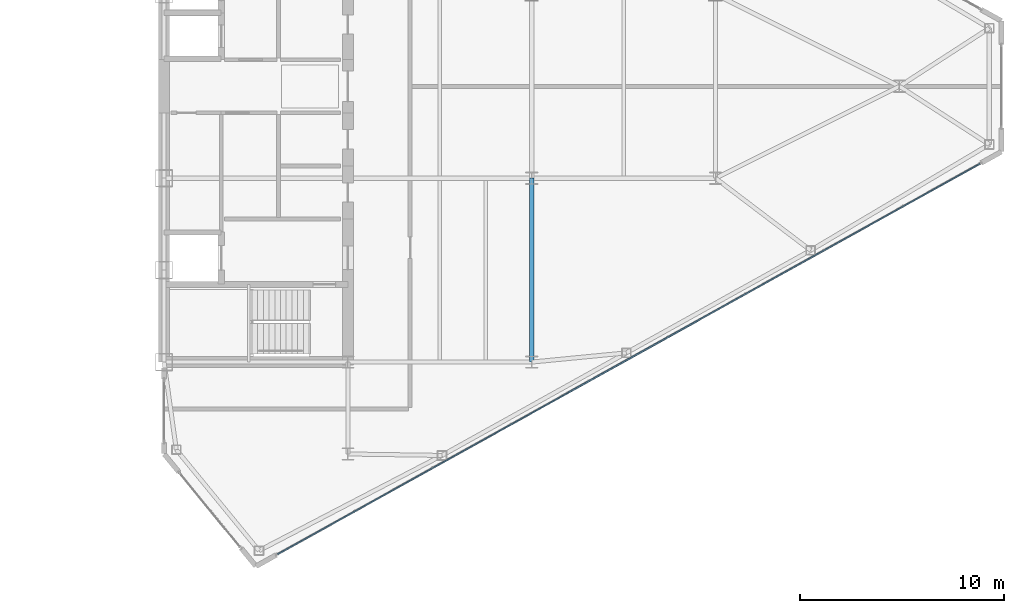
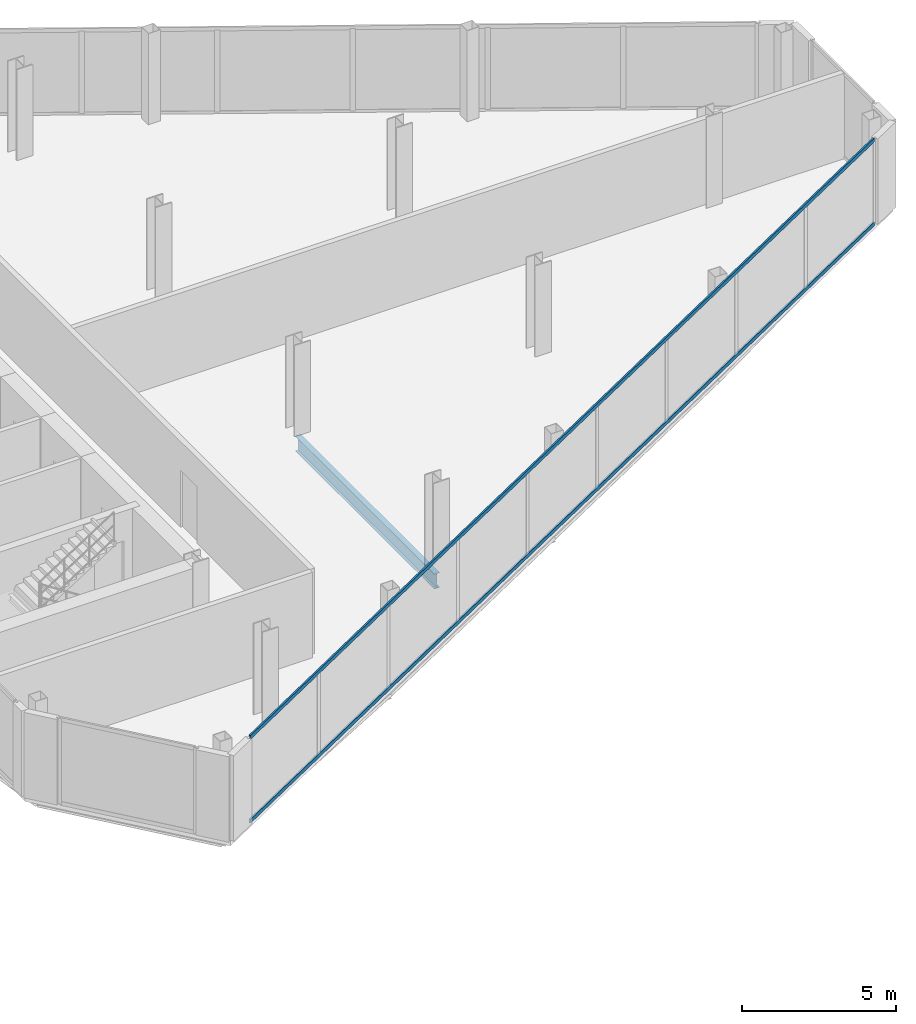
# One storey, part 12 of 26: 2 members, 1 beam, 1 element without a shape of its own.
"""IFC4 building model written with IfcOpenShell, lengths in metres."""

from ifc_helpers import new_model, si_unit, direction, frame, origin, origin_2d, place, context, subcontext, project, spatial, rectangle, i_section, extrude, source, transform, mapped, material, layer, layer_set, material_profile, profile_set, type_object, type_shapes, element, aggregate, save


model = new_model("IFC4")

# Units and contexts
model_context = context("Model", 3, precision=1e-05, world=origin(), true_north=direction((0.0, 1.0)))
body_context = subcontext(model_context, "Body", "Model", "MODEL_VIEW")
ifc_project = project(units=[si_unit("LENGTHUNIT", "METRE"), si_unit("AREAUNIT", "SQUARE_METRE"), si_unit("VOLUMEUNIT", "CUBIC_METRE"), si_unit("PLANEANGLEUNIT", "RADIAN"), si_unit("MASSUNIT", "GRAM", prefix="KILO")], contexts=[model_context])

# Site, building, storey
site_placement = place(None, origin())
site = spatial("IfcSite", under=ifc_project, at=site_placement, CompositionType="ELEMENT")
building_placement = place(site_placement, origin())
building = spatial("IfcBuilding", under=site, at=building_placement, Name="Seokmaru Belvedere", CompositionType="ELEMENT")
storey_placement = place(building_placement, frame((0.0, 0.0, 177.89990234375)))
storey = spatial("IfcBuildingStorey", under=building, at=storey_placement, Name="L47", CompositionType="ELEMENT", Elevation=177.89990234375)

# Beam
ifc_material_1 = material(Name="Steel SM355 (355 MPa)", Category="steel")
ifc_material_profile_1 = material_profile(ifc_material_1, i_section(OverallWidth=0.199951171875, OverallDepth=0.60009765625, WebThickness=0.010986328125, FlangeThickness=0.01708984375, at=origin_2d()), Name="H-600x200x11x17")
ifc_profile_set_1 = profile_set([ifc_material_profile_1], Name="Steel SM355 (355 MPa)")
beam_type = type_object("IfcBeamType", Name="Primary Floor Girder H-600", PredefinedType="BEAM", material=ifc_profile_set_1)
shared_shape_1 = source(origin(), body_context, "Body", "SweptSolid", [
    extrude(i_section(OverallWidth=0.199951171875, OverallDepth=0.60009765625, WebThickness=0.010986328125, FlangeThickness=0.01708984375, at=origin_2d()), origin(), (0.0, 0.0, 1.0), 9.0),
])
type_shapes(beam_type, [shared_shape_1])
beam_placement = place(storey_placement, frame((45.5, -13.5, -0.52001953125), z_axis=(0.0, 1.0, 0.0), x_axis=(-1.0, 0.0, 0.0)))
element("IfcBeam", 1, at=beam_placement, inside=storey, type_object=beam_type, Name="L47 E Interior Grid Girder 1", PredefinedType="BEAM", context=body_context, shape_type="MappedRepresentation", body=[
    mapped(shared_shape_1, transform((0.0, 0.0, 0.0), scale=1.0)),
])

# Curtain wall, members
ifc_material_2 = material(Name="Bronze Triple Insulating Glass", Category="glass")
ifc_layer = layer(ifc_material_2, 0.179931640625)
ifc_layer_set = layer_set([ifc_layer], Name="Bronze Triple Insulating Glass")
curtain_wall_type = type_object("IfcCurtainWallType", Name="High-Rise Wind-Corner Curtain Wall System CW-5", PredefinedType="NOTDEFINED", material=ifc_layer_set)
curtain_wall_placement = place(storey_placement, origin())
curtain_wall = element("IfcCurtainWall", 2, at=curtain_wall_placement, inside=storey, type_object=curtain_wall_type, Name="L47 Curtain Wall EF1", PredefinedType="NOTDEFINED")
ifc_material_3 = material(Name="Anodised Bronze Aluminium", Category="aluminium")
ifc_material_profile_2 = material_profile(ifc_material_3, rectangle(XDim=0.06494140625, YDim=0.14990234375, at=origin_2d()), Name="CW-T-65x150")
ifc_profile_set_2 = profile_set([ifc_material_profile_2], Name="Anodised Bronze Aluminium")
member_type = type_object("IfcMemberType", Name="Bronze Unitised Transom 65x150", PredefinedType="USERDEFINED", material=ifc_profile_set_2)
shared_shape_2 = source(origin(), body_context, "Body", "SweptSolid", [
    extrude(rectangle(XDim=0.06494140625, YDim=0.14990234375, at=origin_2d()), origin(), (0.0, 0.0, 1.0), 39.33544921875),
])
type_shapes(member_type, [shared_shape_2])
member_1_placement = place(storey_placement, frame((33.061767578125, -22.909423828125, 0.03271484375), z_axis=(0.873932045133, 0.486048125693, 0.0), x_axis=(-0.486048125693, 0.873932045133, 0.0)))
member_1 = element("IfcMember", 3, at=member_1_placement, type_object=member_type, Name="CW:L47:EF1 Continuous Transom 1", ObjectType="TRANSOM", PredefinedType="USERDEFINED", context=body_context, shape_type="MappedRepresentation", body=[
    mapped(shared_shape_2, transform((0.0, 0.0, 0.0), scale=1.0)),
])
member_2_placement = place(storey_placement, frame((33.061767578125, -22.909423828125, 3.34765625), z_axis=(0.873932045133, 0.486048125693, 0.0), x_axis=(-0.486048125693, 0.873932045133, 0.0)))
member_2 = element("IfcMember", 4, at=member_2_placement, type_object=member_type, Name="CW:L47:EF1 Continuous Transom 2", ObjectType="TRANSOM", PredefinedType="USERDEFINED", context=body_context, shape_type="MappedRepresentation", body=[
    mapped(shared_shape_2, transform((0.0, 0.0, 0.0), scale=1.0)),
])
aggregate(curtain_wall, [member_1, member_2])

save(model, "model.ifc")
